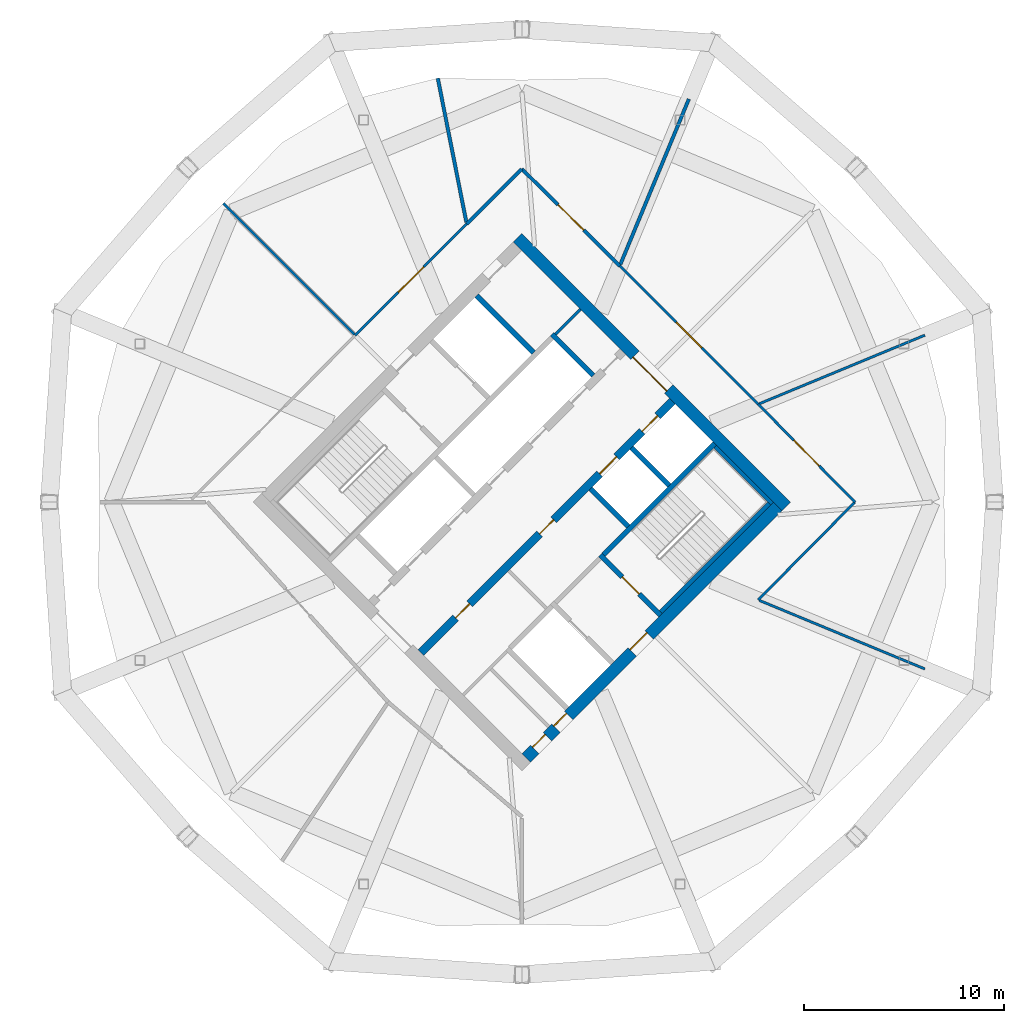
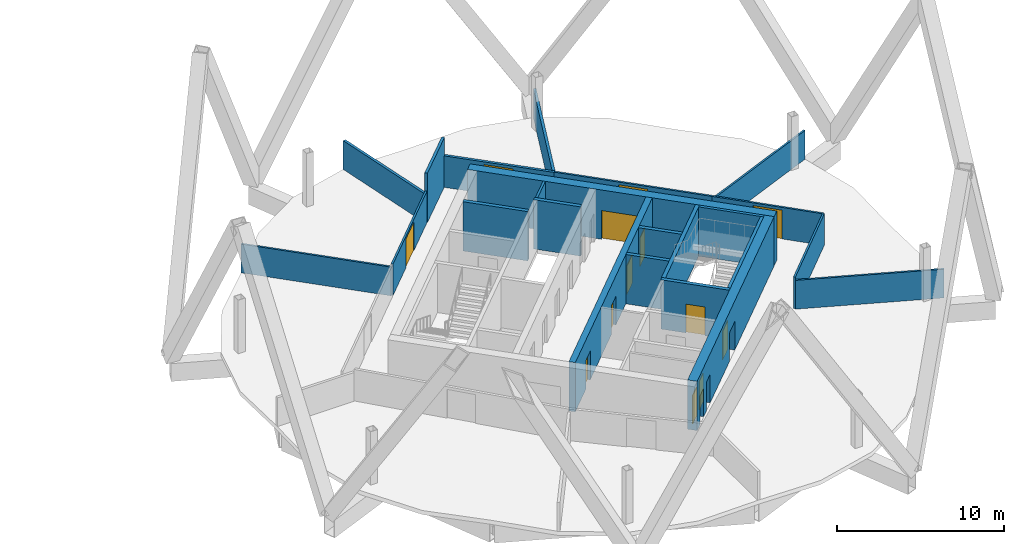
# One storey, part 7 of 9: 23 walls, 13 doors, 13 openings.
"""IFC4 building model written with IfcOpenShell, lengths in metres."""

from ifc_helpers import new_model, si_unit, direction, frame, frame_2d, origin, place, context, subcontext, project, spatial, rectangle, extrude, material, layer, layer_set, type_object, element, fill, save


model = new_model("IFC4")

# Units and contexts
model_context = context("Model", 3, precision=1e-05, world=origin(), true_north=direction((0.0, 1.0)))
body_context = subcontext(model_context, "Body", "Model", "MODEL_VIEW")
ifc_project = project(units=[si_unit("LENGTHUNIT", "METRE"), si_unit("AREAUNIT", "SQUARE_METRE"), si_unit("VOLUMEUNIT", "CUBIC_METRE"), si_unit("PLANEANGLEUNIT", "RADIAN"), si_unit("MASSUNIT", "GRAM", prefix="KILO")], contexts=[model_context])

# Site, building, storey
site_placement = place(None, origin())
site = spatial("IfcSite", under=ifc_project, at=site_placement, CompositionType="ELEMENT")
building_placement = place(site_placement, origin())
building = spatial("IfcBuilding", under=site, at=building_placement, Name="Ogive Gate Towers", CompositionType="ELEMENT")
storey_placement = place(building_placement, frame((0.0, 0.0, 200.699951171875)))
storey = spatial("IfcBuildingStorey", under=building, at=storey_placement, Name="L48", CompositionType="ELEMENT", Elevation=200.699951171875)

# Walls
ifc_material_1 = material(Name="Gypsum board acoustic partition")
ifc_layer_1 = layer(ifc_material_1, 0.175048828125)
ifc_layer_set_1 = layer_set([ifc_layer_1], Name="Acoustic partition 175")
wall_type_1 = type_object("IfcWallType", Name="Acoustic partition 175", PredefinedType="PARTITIONING", material=ifc_layer_set_1)
wall_1_placement = place(storey_placement, frame((44.35009765625, 20.1591796875, 0.0), z_axis=(0.0, 0.0, 1.0), x_axis=(-0.382666085815, -0.923886717497, 0.0)))
element("IfcWall", 1, at=wall_1_placement, inside=storey, type_object=wall_type_1, Name="Partition T2-L48-002", PredefinedType="PARTITIONING", context=body_context, shape_type="SweptSolid", body=[
    extrude(rectangle(XDim=8.941650390625, YDim=0.175048828125, at=frame_2d((4.470703125, 0.0))), origin(), (0.0, 0.0, 1.0), 2.10009765625),
])
wall_2_placement = place(storey_placement, frame((31.790283203125, 21.205810546875, 0.0), z_axis=(0.0, 0.0, 1.0), x_axis=(0.194734626215, -0.980855965651, 0.0)))
element("IfcWall", 2, at=wall_2_placement, inside=storey, type_object=wall_type_1, Name="Partition T2-L48-003", PredefinedType="PARTITIONING", context=body_context, shape_type="SweptSolid", body=[
    extrude(rectangle(XDim=7.341796875, YDim=0.175048828125, at=frame_2d((3.6708984375, 0.0))), origin(), (0.0, 0.0, 1.0), 2.10009765625),
])

# Wall, opening, door
wall_3_placement = place(storey_placement, frame((40.89501953125, 11.8173828125, 0.0), z_axis=(0.0, 0.0, 1.0), x_axis=(-0.7109435657, 0.703249064265, 0.0)))
wall_3 = element("IfcWall", 3, at=wall_3_placement, inside=storey, type_object=wall_type_1, Name="Partition T2-L48-013", PredefinedType="PARTITIONING", context=body_context, shape_type="SweptSolid", body=[
    extrude(rectangle(XDim=6.88525390625, YDim=0.175048828125, at=frame_2d((3.442626953125, 0.0))), origin(), (0.0, 0.0, 1.0), 2.300048828125),
])
opening_1_placement = place(wall_3_placement, frame((2.54296875, 0.0, 0.0)))
opening_1 = element("IfcOpeningElement", 4, at=opening_1_placement, cuts=wall_3, Name="Opening T2-L48-D04", PredefinedType="OPENING", context=body_context, shape_type="SweptSolid", body=[
    extrude(rectangle(XDim=1.800048828125, YDim=2.10009765625, at=frame_2d((0.89990234375, 1.050048828125))), frame((0.0, 0.09765625, 0.0), z_axis=(0.0, -1.0, 0.0), x_axis=(1.0, 0.0, 0.0)), (0.0, 0.0, 1.0), 0.195068359375),
])
ifc_material_2 = material(Name="Timber door", Category="wood")
door_type_1 = type_object("IfcDoorType", Name="Door pair 1800", OperationType="NOTDEFINED", PredefinedType="DOOR", material=ifc_material_2)
door_1_placement = place(opening_1_placement, origin())
door_1 = element("IfcDoor", 5, at=door_1_placement, inside=storey, type_object=door_type_1, Name="Door T2-L48-D04", OperationType="DOUBLE_DOOR_DOUBLE_SWING", OverallHeight=2.10009765625, OverallWidth=1.800048828125, PredefinedType="DOOR", context=body_context, shape_type="SweptSolid", body=[
    extrude(rectangle(XDim=1.800048828125, YDim=2.10009765625, at=frame_2d((0.89990234375, 1.050048828125))), frame((0.0, 0.02490234375, 0.0), z_axis=(0.0, -1.0, 0.0), x_axis=(1.0, 0.0, 0.0)), (0.0, 0.0, 1.0), 0.050048828125),
])
fill(opening_1, door_1)

# Wall
wall_4_placement = place(storey_placement, frame((36.0, 16.659423828125, 0.0), z_axis=(0.0, 0.0, 1.0), x_axis=(-0.710017872261, -0.704183655781, 0.0)))
element("IfcWall", 6, at=wall_4_placement, inside=storey, type_object=wall_type_1, Name="Partition T2-L48-014", PredefinedType="PARTITIONING", context=body_context, shape_type="SweptSolid", body=[
    extrude(rectangle(XDim=3.8916015625, YDim=0.175048828125, at=frame_2d((1.94580078125, 0.0))), origin(), (0.0, 0.0, 1.0), 3.60009765625),
])

# Wall, openings, doors
ifc_material_3 = material(Name="Concrete C60/75", Category="concrete")
ifc_layer_2 = layer(ifc_material_3, 0.60009765625)
ifc_layer_set_2 = layer_set([ifc_layer_2], Name="Core wall 600 mm")
wall_type_2 = type_object("IfcWallType", Name="Core wall 600 mm", PredefinedType="SHEAR", material=ifc_layer_set_2)
wall_5_placement = place(storey_placement, frame((36.212158203125, -12.798583984375, 0.0), z_axis=(0.0, 0.0, 1.0), x_axis=(0.707106781187, 0.707106781187, 0.0)))
wall_5 = element("IfcWall", 7, at=wall_5_placement, inside=storey, type_object=wall_type_2, Name="T2 L48 Core wall 600 mm", PredefinedType="SHEAR", context=body_context, shape_type="SweptSolid", body=[
    extrude(rectangle(XDim=17.7998046875, YDim=0.60009765625, at=frame_2d((8.89990234375, 0.0))), origin(), (0.0, 0.0, 1.0), 3.60009765625),
])
opening_2_placement = place(wall_5_placement, frame((7.5, 0.0, 0.0)))
opening_2 = element("IfcOpeningElement", 8, at=opening_2_placement, cuts=wall_5, Name="Opening KD-T2-L48-19", PredefinedType="OPENING", context=body_context, shape_type="SweptSolid", body=[
    extrude(rectangle(XDim=1.199951171875, YDim=2.10009765625, at=frame_2d((0.60009765625, 1.050048828125))), frame((0.0, 0.31005859375, 0.0), z_axis=(0.0, -1.0, 0.0), x_axis=(1.0, 0.0, 0.0)), (0.0, 0.0, 1.0), 0.6201171875),
])
opening_3_placement = place(wall_5_placement, frame((0.60009765625, 0.0, 0.0)))
opening_3 = element("IfcOpeningElement", 9, at=opening_3_placement, cuts=wall_5, Name="Opening KD-T2-L48-21", PredefinedType="OPENING", context=body_context, shape_type="SweptSolid", body=[
    extrude(rectangle(XDim=0.89990234375, YDim=2.10009765625, at=frame_2d((0.449951171875, 1.050048828125))), frame((0.0, 0.31005859375, 0.0), z_axis=(0.0, -1.0, 0.0), x_axis=(1.0, 0.0, 0.0)), (0.0, 0.0, 1.0), 0.6201171875),
])
opening_4_placement = place(wall_5_placement, frame((2.10009765625, 0.0, 0.0)))
opening_4 = element("IfcOpeningElement", 10, at=opening_4_placement, cuts=wall_5, Name="Opening KD-T2-L48-22", PredefinedType="OPENING", context=body_context, shape_type="SweptSolid", body=[
    extrude(rectangle(XDim=0.89990234375, YDim=2.10009765625, at=frame_2d((0.449951171875, 1.050048828125))), frame((0.0, 0.31005859375, 0.0), z_axis=(0.0, -1.0, 0.0), x_axis=(1.0, 0.0, 0.0)), (0.0, 0.0, 1.0), 0.6201171875),
])
door_type_2 = type_object("IfcDoorType", Name="Core WC door 900 x 2100", OperationType="NOTDEFINED", PredefinedType="DOOR", material=ifc_material_2)
door_2_placement = place(opening_3_placement, origin())
door_2 = element("IfcDoor", 11, at=door_2_placement, inside=storey, type_object=door_type_2, Name="T2 L48 Core door", OperationType="SINGLE_SWING_RIGHT", OverallHeight=2.10009765625, OverallWidth=0.89990234375, PredefinedType="DOOR", context=body_context, shape_type="SweptSolid", body=[
    extrude(rectangle(XDim=0.89990234375, YDim=2.10009765625, at=frame_2d((0.449951171875, 1.050048828125))), frame((0.0, 0.1748046875, 0.0), z_axis=(0.0, -1.0, 0.0), x_axis=(1.0, 0.0, 0.0)), (0.0, 0.0, 1.0), 0.050048828125),
])
fill(opening_3, door_2)
door_3_placement = place(opening_4_placement, origin())
door_3 = element("IfcDoor", 12, at=door_3_placement, inside=storey, type_object=door_type_2, Name="T2 L48 Core door", OperationType="SINGLE_SWING_LEFT", OverallHeight=2.10009765625, OverallWidth=0.89990234375, PredefinedType="DOOR", context=body_context, shape_type="SweptSolid", body=[
    extrude(rectangle(XDim=0.89990234375, YDim=2.10009765625, at=frame_2d((0.449951171875, 1.050048828125))), frame((0.0, 0.1748046875, 0.0), z_axis=(0.0, -1.0, 0.0), x_axis=(1.0, 0.0, 0.0)), (0.0, 0.0, 1.0), 0.050048828125),
])
fill(opening_4, door_3)
ifc_material_4 = material(Name="Steel fire door", Category="steel")
door_type_3 = type_object("IfcDoorType", Name="Core door FD60S 1200 x 2100", OperationType="NOTDEFINED", PredefinedType="DOOR", material=ifc_material_4)
door_4_placement = place(opening_2_placement, origin())
door_4 = element("IfcDoor", 13, at=door_4_placement, inside=storey, type_object=door_type_3, Name="T2 L48 Fire-fighting lobby door", OperationType="SINGLE_SWING_RIGHT", OverallHeight=2.10009765625, OverallWidth=1.199951171875, PredefinedType="DOOR", context=body_context, shape_type="SweptSolid", body=[
    extrude(rectangle(XDim=1.199951171875, YDim=2.10009765625, at=frame_2d((0.60009765625, 1.050048828125))), frame((0.0, 0.1748046875, 0.0), z_axis=(0.0, -1.0, 0.0), x_axis=(1.0, 0.0, 0.0)), (0.0, 0.0, 1.0), 0.050048828125),
])
fill(opening_2, door_4)

# Wall, opening, door
wall_6_placement = place(storey_placement, frame((49.222900390625, -0.212158203125, 0.0), z_axis=(0.0, 0.0, 1.0), x_axis=(-0.707106781187, 0.707106781187, 0.0)))
wall_6 = element("IfcWall", 14, at=wall_6_placement, inside=storey, type_object=wall_type_2, Name="T2 L48 Core wall 600 mm", PredefinedType="SHEAR", context=body_context, shape_type="SweptSolid", body=[
    extrude(rectangle(XDim=19.0, YDim=0.60009765625, at=frame_2d((9.5, 0.0))), origin(), (0.0, 0.0, 1.0), 3.60009765625),
])
opening_5_placement = place(wall_6_placement, frame((8.300048828125, 0.0, 0.0)))
opening_5 = element("IfcOpeningElement", 15, at=opening_5_placement, cuts=wall_6, Name="Opening KD-T2-L48-02", PredefinedType="OPENING", context=body_context, shape_type="SweptSolid", body=[
    extrude(rectangle(XDim=2.39990234375, YDim=2.10009765625, at=frame_2d((1.199951171875, 1.050048828125))), frame((0.0, 0.31005859375, 0.0), z_axis=(0.0, -1.0, 0.0), x_axis=(1.0, 0.0, 0.0)), (0.0, 0.0, 1.0), 0.6201171875),
])
door_type_4 = type_object("IfcDoorType", Name="Core double door FD60S 2400 x 2100", OperationType="DOUBLE_DOOR_SINGLE_SWING", PredefinedType="DOOR", material=ifc_material_4)
door_5_placement = place(opening_5_placement, origin())
door_5 = element("IfcDoor", 16, at=door_5_placement, inside=storey, type_object=door_type_4, Name="T2 L48 Core door double", OperationType="DOUBLE_DOOR_SINGLE_SWING", OverallHeight=2.10009765625, OverallWidth=2.39990234375, PredefinedType="DOOR", context=body_context, shape_type="SweptSolid", body=[
    extrude(rectangle(XDim=2.39990234375, YDim=2.10009765625, at=frame_2d((1.199951171875, 1.050048828125))), frame((0.0, 0.1748046875, 0.0), z_axis=(0.0, -1.0, 0.0), x_axis=(1.0, 0.0, 0.0)), (0.0, 0.0, 1.0), 0.050048828125),
])
fill(opening_5, door_5)

# Walls
ifc_material_5 = material(Name="Gypsum board partition")
ifc_layer_3 = layer(ifc_material_5, 0.125)
ifc_layer_set_3 = layer_set([ifc_layer_3], Name="Partition 125")
wall_type_3 = type_object("IfcWallType", Name="Partition 125", PredefinedType="PARTITIONING", material=ifc_layer_set_3)
wall_7_placement = place(storey_placement, frame((56.1591796875, 8.35009765625, 0.0), z_axis=(0.0, 0.0, 1.0), x_axis=(-0.923880443146, -0.382681233892, 0.0)))
element("IfcWall", 17, at=wall_7_placement, inside=storey, type_object=wall_type_3, Name="Partition T2-L48-001", PredefinedType="PARTITIONING", context=body_context, shape_type="SweptSolid", body=[
    extrude(rectangle(XDim=8.966796875, YDim=0.125, at=frame_2d((4.4833984375, 0.0))), origin(), (0.0, 0.0, 1.0), 2.10009765625),
])
wall_8_placement = place(storey_placement, frame((21.066650390625, 14.933349609375, 0.0), z_axis=(0.0, 0.0, 1.0), x_axis=(0.707106781187, -0.707106781187, 0.0)))
element("IfcWall", 18, at=wall_8_placement, inside=storey, type_object=wall_type_3, Name="Partition T2-L48-004", PredefinedType="PARTITIONING", context=body_context, shape_type="SweptSolid", body=[
    extrude(rectangle(XDim=9.266357421875, YDim=0.125, at=frame_2d((4.63330078125, 0.0))), origin(), (0.0, 0.0, 1.0), 2.10009765625),
])
wall_9_placement = place(storey_placement, frame((56.1591796875, -8.35009765625, 0.0), z_axis=(0.0, 0.0, 1.0), x_axis=(-0.923880443146, 0.382681233892, 0.0)))
element("IfcWall", 19, at=wall_9_placement, inside=storey, type_object=wall_type_3, Name="Partition T2-L48-008", PredefinedType="PARTITIONING", context=body_context, shape_type="SweptSolid", body=[
    extrude(rectangle(XDim=8.966796875, YDim=0.125, at=frame_2d((4.4833984375, 0.0))), origin(), (0.0, 0.0, 1.0), 2.10009765625),
])

# Wall, opening, door
wall_10_placement = place(storey_placement, frame((52.659423828125, 0.0, 0.0), z_axis=(0.0, 0.0, 1.0), x_axis=(-0.703249064265, 0.7109435657, 0.0)))
wall_10 = element("IfcWall", 20, at=wall_10_placement, inside=storey, type_object=wall_type_3, Name="Partition T2-L48-010", PredefinedType="PARTITIONING", context=body_context, shape_type="SweptSolid", body=[
    extrude(rectangle(XDim=6.88525390625, YDim=0.125, at=frame_2d((3.442626953125, 0.0))), origin(), (0.0, 0.0, 1.0), 2.300048828125),
])
opening_6_placement = place(wall_10_placement, frame((2.54296875, 0.0, 0.0)))
opening_6 = element("IfcOpeningElement", 21, at=opening_6_placement, cuts=wall_10, Name="Opening T2-L48-D02", PredefinedType="OPENING", context=body_context, shape_type="SweptSolid", body=[
    extrude(rectangle(XDim=1.800048828125, YDim=2.10009765625, at=frame_2d((0.89990234375, 1.050048828125))), frame((0.0, 0.072509765625, 0.0), z_axis=(0.0, -1.0, 0.0), x_axis=(1.0, 0.0, 0.0)), (0.0, 0.0, 1.0), 0.14501953125),
])
door_6_placement = place(opening_6_placement, origin())
door_6 = element("IfcDoor", 22, at=door_6_placement, inside=storey, type_object=door_type_1, Name="Door T2-L48-D02", OperationType="DOUBLE_DOOR_DOUBLE_SWING", OverallHeight=2.10009765625, OverallWidth=1.800048828125, PredefinedType="DOOR", context=body_context, shape_type="SweptSolid", body=[
    extrude(rectangle(XDim=1.800048828125, YDim=2.10009765625, at=frame_2d((0.89990234375, 1.050048828125))), frame((0.0, 0.02490234375, 0.0), z_axis=(0.0, -1.0, 0.0), x_axis=(1.0, 0.0, 0.0)), (0.0, 0.0, 1.0), 0.050048828125),
])
fill(opening_6, door_6)

# Wall
wall_11_placement = place(storey_placement, frame((47.8173828125, -4.89501953125, 0.0), z_axis=(0.0, 0.0, 1.0), x_axis=(0.703249064265, 0.7109435657, 0.0)))
element("IfcWall", 23, at=wall_11_placement, inside=storey, type_object=wall_type_3, Name="Partition T2-L48-011", PredefinedType="PARTITIONING", context=body_context, shape_type="SweptSolid", body=[
    extrude(rectangle(XDim=6.88525390625, YDim=0.125, at=frame_2d((3.442626953125, 0.0))), origin(), (0.0, 0.0, 1.0), 2.300048828125),
])

# Wall, opening, door
wall_12_placement = place(storey_placement, frame((47.8173828125, 4.89501953125, 0.0), z_axis=(0.0, 0.0, 1.0), x_axis=(-0.707106781187, 0.707106781187, 0.0)))
wall_12 = element("IfcWall", 24, at=wall_12_placement, inside=storey, type_object=wall_type_3, Name="Partition T2-L48-012", PredefinedType="PARTITIONING", context=body_context, shape_type="SweptSolid", body=[
    extrude(rectangle(XDim=9.789794921875, YDim=0.125, at=frame_2d((4.89501953125, 0.0))), origin(), (0.0, 0.0, 1.0), 2.300048828125),
])
opening_7_placement = place(wall_12_placement, frame((3.9951171875, 0.0, 0.0)))
opening_7 = element("IfcOpeningElement", 25, at=opening_7_placement, cuts=wall_12, Name="Opening T2-L48-D03", PredefinedType="OPENING", context=body_context, shape_type="SweptSolid", body=[
    extrude(rectangle(XDim=1.800048828125, YDim=2.10009765625, at=frame_2d((0.89990234375, 1.050048828125))), frame((0.0, 0.072509765625, 0.0), z_axis=(0.0, -1.0, 0.0), x_axis=(1.0, 0.0, 0.0)), (0.0, 0.0, 1.0), 0.14501953125),
])
door_7_placement = place(opening_7_placement, origin())
door_7 = element("IfcDoor", 26, at=door_7_placement, inside=storey, type_object=door_type_1, Name="Door T2-L48-D03", OperationType="DOUBLE_DOOR_DOUBLE_SWING", OverallHeight=2.10009765625, OverallWidth=1.800048828125, PredefinedType="DOOR", context=body_context, shape_type="SweptSolid", body=[
    extrude(rectangle(XDim=1.800048828125, YDim=2.10009765625, at=frame_2d((0.89990234375, 1.050048828125))), frame((0.0, 0.02490234375, 0.0), z_axis=(0.0, -1.0, 0.0), x_axis=(1.0, 0.0, 0.0)), (0.0, 0.0, 1.0), 0.050048828125),
])
fill(opening_7, door_7)

wall_13_placement = place(storey_placement, frame((33.23681640625, 13.9189453125, 0.0), z_axis=(0.0, 0.0, 1.0), x_axis=(-0.706580441441, -0.707632729439, 0.0)))
wall_13 = element("IfcWall", 27, at=wall_13_placement, inside=storey, type_object=wall_type_3, Name="Partition T2-L48-015", PredefinedType="PARTITIONING", context=body_context, shape_type="SweptSolid", body=[
    extrude(rectangle(XDim=7.888427734375, YDim=0.125, at=frame_2d((3.9443359375, 0.0))), origin(), (0.0, 0.0, 1.0), 2.300048828125),
])
opening_8_placement = place(wall_13_placement, frame((3.0439453125, 0.0, 0.0)))
opening_8 = element("IfcOpeningElement", 28, at=opening_8_placement, cuts=wall_13, Name="Opening T2-L48-D05", PredefinedType="OPENING", context=body_context, shape_type="SweptSolid", body=[
    extrude(rectangle(XDim=1.800048828125, YDim=2.10009765625, at=frame_2d((0.89990234375, 1.050048828125))), frame((0.0, 0.072509765625, 0.0), z_axis=(0.0, -1.0, 0.0), x_axis=(1.0, 0.0, 0.0)), (0.0, 0.0, 1.0), 0.14501953125),
])
door_8_placement = place(opening_8_placement, origin())
door_8 = element("IfcDoor", 29, at=door_8_placement, inside=storey, type_object=door_type_1, Name="Door T2-L48-D05", OperationType="DOUBLE_DOOR_DOUBLE_SWING", OverallHeight=2.10009765625, OverallWidth=1.800048828125, PredefinedType="DOOR", context=body_context, shape_type="SweptSolid", body=[
    extrude(rectangle(XDim=1.800048828125, YDim=2.10009765625, at=frame_2d((0.89990234375, 1.050048828125))), frame((0.0, 0.02490234375, 0.0), z_axis=(0.0, -1.0, 0.0), x_axis=(1.0, 0.0, 0.0)), (0.0, 0.0, 1.0), 0.050048828125),
])
fill(opening_8, door_8)

# Walls
ifc_layer_4 = layer(ifc_material_5, 0.14990234375)
ifc_layer_set_4 = layer_set([ifc_layer_4], Name="Room partition 150 mm")
wall_type_4 = type_object("IfcWallType", Name="Room partition 150 mm", PredefinedType="PARTITIONING", material=ifc_layer_set_4)
wall_14_placement = place(storey_placement, frame((37.679443359375, 8.39697265625, 0.0), z_axis=(0.0, 0.0, 1.0), x_axis=(0.707106781187, 0.707106781187, 0.0)))
element("IfcWall", 30, at=wall_14_placement, inside=storey, type_object=wall_type_4, Name="T2 L48 Room partition 150 mm", PredefinedType="PARTITIONING", context=body_context, shape_type="SweptSolid", body=[
    extrude(rectangle(XDim=1.77490234375, YDim=0.14990234375, at=frame_2d((0.887451171875, 0.0))), origin(), (0.0, 0.0, 1.0), 3.60009765625),
])
ifc_layer_5 = layer(ifc_material_3, 0.25)
ifc_layer_set_5 = layer_set([ifc_layer_5], Name="Shaft wall 250 mm")
wall_type_5 = type_object("IfcWallType", Name="Shaft wall 250 mm", PredefinedType="SHEAR", material=ifc_layer_set_5)
wall_15_placement = place(storey_placement, frame((40.08349609375, -2.634033203125, 0.0), z_axis=(0.0, 0.0, 1.0), x_axis=(0.707106781187, 0.707106781187, 0.0)))
element("IfcWall", 31, at=wall_15_placement, inside=storey, type_object=wall_type_5, Name="T2 L48 Shaft wall 250 mm", PredefinedType="SHEAR", context=body_context, shape_type="SweptSolid", body=[
    extrude(rectangle(XDim=7.875244140625, YDim=0.25, at=frame_2d((3.9375, 0.0))), origin(), (0.0, 0.0, 1.0), 3.60009765625),
])

# Wall, opening, door
wall_16_placement = place(storey_placement, frame((42.9296875, -5.656982421875, 0.0), z_axis=(0.0, 0.0, 1.0), x_axis=(-0.707106781187, 0.707106781187, 0.0)))
wall_16 = element("IfcWall", 32, at=wall_16_placement, inside=storey, type_object=wall_type_5, Name="T2 L48 Shaft wall 250 mm", PredefinedType="SHEAR", context=body_context, shape_type="SweptSolid", body=[
    extrude(rectangle(XDim=4.250244140625, YDim=0.25, at=frame_2d((2.125, 0.0))), origin(), (0.0, 0.0, 1.0), 3.60009765625),
])
opening_9_placement = place(wall_16_placement, frame((1.5, 0.0, 0.0)))
opening_9 = element("IfcOpeningElement", 33, at=opening_9_placement, cuts=wall_16, Name="Opening KD-T2-L48-17", PredefinedType="OPENING", context=body_context, shape_type="SweptSolid", body=[
    extrude(rectangle(XDim=1.199951171875, YDim=2.10009765625, at=frame_2d((0.60009765625, 1.050048828125))), frame((0.0, 0.135009765625, 0.0), z_axis=(0.0, -1.0, 0.0), x_axis=(1.0, 0.0, 0.0)), (0.0, 0.0, 1.0), 0.27001953125),
])
door_9_placement = place(opening_9_placement, origin())
door_9 = element("IfcDoor", 34, at=door_9_placement, inside=storey, type_object=door_type_3, Name="T2 L48 Stair door", OperationType="SINGLE_SWING_RIGHT", OverallHeight=2.10009765625, OverallWidth=1.199951171875, PredefinedType="DOOR", context=body_context, shape_type="SweptSolid", body=[
    extrude(rectangle(XDim=1.199951171875, YDim=2.10009765625, at=frame_2d((0.60009765625, 1.050048828125))), frame((0.0, 0.02490234375, 0.0), z_axis=(0.0, -1.0, 0.0), x_axis=(1.0, 0.0, 0.0)), (0.0, 0.0, 1.0), 0.050048828125),
])
fill(opening_9, door_9)

# Walls
wall_17_placement = place(storey_placement, frame((41.321044921875, -1.2197265625, 0.0), z_axis=(0.0, 0.0, 1.0), x_axis=(-0.707106781187, 0.707106781187, 0.0)))
element("IfcWall", 35, at=wall_17_placement, inside=storey, type_object=wall_type_5, Name="T2 L48 Shaft wall 250 mm", PredefinedType="SHEAR", context=body_context, shape_type="SweptSolid", body=[
    extrude(rectangle(XDim=2.675048828125, YDim=0.25, at=frame_2d((1.33740234375, 0.0))), origin(), (0.0, 0.0, 1.0), 3.60009765625),
])
wall_18_placement = place(storey_placement, frame((36.58349609375, 7.477783203125, 0.0), z_axis=(0.0, 0.0, 1.0), x_axis=(-0.707137108942, 0.70707645213, 0.0)))
element("IfcWall", 36, at=wall_18_placement, inside=storey, type_object=wall_type_5, Name="T2 L48 Shaft wall 250 mm", PredefinedType="SHEAR", context=body_context, shape_type="SweptSolid", body=[
    extrude(rectangle(XDim=4.02490234375, YDim=0.25, at=frame_2d((2.012451171875, 0.0))), origin(), (0.0, 0.0, 1.0), 3.60009765625),
])
wall_19_placement = place(storey_placement, frame((43.37158203125, 0.830810546875, 0.0), z_axis=(0.0, 0.0, 1.0), x_axis=(-0.707106781187, 0.707106781187, 0.0)))
element("IfcWall", 37, at=wall_19_placement, inside=storey, type_object=wall_type_5, Name="T2 L48 Shaft wall 250 mm", PredefinedType="SHEAR", context=body_context, shape_type="SweptSolid", body=[
    extrude(rectangle(XDim=2.675048828125, YDim=0.25, at=frame_2d((1.33740234375, 0.0))), origin(), (0.0, 0.0, 1.0), 3.60009765625),
])
wall_20_placement = place(storey_placement, frame((39.57080078125, 6.32861328125, 0.0), z_axis=(0.0, 0.0, 1.0), x_axis=(-0.707065045505, 0.707148514405, 0.0)))
element("IfcWall", 38, at=wall_20_placement, inside=storey, type_object=wall_type_5, Name="T2 L48 Shaft wall 250 mm", PredefinedType="SHEAR", context=body_context, shape_type="SweptSolid", body=[
    extrude(rectangle(XDim=2.925048828125, YDim=0.25, at=frame_2d((1.46240234375, 0.0))), origin(), (0.0, 0.0, 1.0), 3.60009765625),
])

# Wall, openings, doors
ifc_layer_6 = layer(ifc_material_3, 0.39990234375)
ifc_layer_set_6 = layer_set([ifc_layer_6], Name="Spine wall 400 mm")
wall_type_6 = type_object("IfcWallType", Name="Spine wall 400 mm", PredefinedType="SHEAR", material=ifc_layer_set_6)
wall_21_placement = place(storey_placement, frame((30.944091796875, -7.53076171875, 0.0), z_axis=(0.0, 0.0, 1.0), x_axis=(0.707106781187, 0.707106781187, 0.0)))
wall_21 = element("IfcWall", 39, at=wall_21_placement, inside=storey, type_object=wall_type_6, Name="T2 L48 Spine wall 400 mm", PredefinedType="SHEAR", context=body_context, shape_type="SweptSolid", body=[
    extrude(rectangle(XDim=17.80029296875, YDim=0.39990234375, at=frame_2d((8.900146484375, 0.0))), origin(), (0.0, 0.0, 1.0), 3.60009765625),
])
opening_10_placement = place(wall_21_placement, frame((12.64990234375, 0.0, 0.0)))
opening_10 = element("IfcOpeningElement", 40, at=opening_10_placement, cuts=wall_21, Name="Opening LD-T2-L48-10", PredefinedType="OPENING", context=body_context, shape_type="SweptSolid", body=[
    extrude(rectangle(XDim=1.199951171875, YDim=2.10009765625, at=frame_2d((0.60009765625, 1.050048828125))), frame((0.0, 0.2099609375, 0.0), z_axis=(0.0, -1.0, 0.0), x_axis=(1.0, 0.0, 0.0)), (0.0, 0.0, 1.0), 0.419921875),
])
opening_11_placement = place(wall_21_placement, frame((15.64990234375, 0.0, 0.0)))
opening_11 = element("IfcOpeningElement", 41, at=opening_11_placement, cuts=wall_21, Name="Opening LD-T2-L48-11", PredefinedType="OPENING", context=body_context, shape_type="SweptSolid", body=[
    extrude(rectangle(XDim=1.10009765625, YDim=2.10009765625, at=frame_2d((0.550048828125, 1.050048828125))), frame((0.0, 0.2099609375, 0.0), z_axis=(0.0, -1.0, 0.0), x_axis=(1.0, 0.0, 0.0)), (0.0, 0.0, 1.0), 0.419921875),
])
opening_12_placement = place(wall_21_placement, frame((2.449951171875, 0.0, 0.0)))
opening_12 = element("IfcOpeningElement", 42, at=opening_12_placement, cuts=wall_21, Name="Opening KD-T2-L48-14", PredefinedType="OPENING", context=body_context, shape_type="SweptSolid", body=[
    extrude(rectangle(XDim=1.0, YDim=2.10009765625, at=frame_2d((0.5, 1.050048828125))), frame((0.0, 0.2099609375, 0.0), z_axis=(0.0, -1.0, 0.0), x_axis=(1.0, 0.0, 0.0)), (0.0, 0.0, 1.0), 0.419921875),
])
opening_13_placement = place(wall_21_placement, frame((8.39990234375, 0.0, 0.0)))
opening_13 = element("IfcOpeningElement", 43, at=opening_13_placement, cuts=wall_21, Name="Opening KD-T2-L48-15", PredefinedType="OPENING", context=body_context, shape_type="SweptSolid", body=[
    extrude(rectangle(XDim=1.0, YDim=2.10009765625, at=frame_2d((0.5, 1.050048828125))), frame((0.0, 0.2099609375, 0.0), z_axis=(0.0, -1.0, 0.0), x_axis=(1.0, 0.0, 0.0)), (0.0, 0.0, 1.0), 0.419921875),
])
door_type_5 = type_object("IfcDoorType", Name="Core door FD60S 1000 x 2100", OperationType="NOTDEFINED", PredefinedType="DOOR", material=ifc_material_4)
door_10_placement = place(opening_12_placement, origin())
door_10 = element("IfcDoor", 44, at=door_10_placement, inside=storey, type_object=door_type_5, Name="T2 L48 Core door", OperationType="SINGLE_SWING_LEFT", OverallHeight=2.10009765625, OverallWidth=1.0, PredefinedType="DOOR", context=body_context, shape_type="SweptSolid", body=[
    extrude(rectangle(XDim=1.0, YDim=2.10009765625, at=frame_2d((0.5, 1.050048828125))), frame((0.0, 0.02490234375, 0.0), z_axis=(0.0, -1.0, 0.0), x_axis=(1.0, 0.0, 0.0)), (0.0, 0.0, 1.0), 0.050048828125),
])
fill(opening_12, door_10)
door_11_placement = place(opening_13_placement, origin())
door_11 = element("IfcDoor", 45, at=door_11_placement, inside=storey, type_object=door_type_5, Name="T2 L48 Core door", OperationType="SINGLE_SWING_RIGHT", OverallHeight=2.10009765625, OverallWidth=1.0, PredefinedType="DOOR", context=body_context, shape_type="SweptSolid", body=[
    extrude(rectangle(XDim=1.0, YDim=2.10009765625, at=frame_2d((0.5, 1.050048828125))), frame((0.0, 0.02490234375, 0.0), z_axis=(0.0, -1.0, 0.0), x_axis=(1.0, 0.0, 0.0)), (0.0, 0.0, 1.0), 0.050048828125),
])
fill(opening_13, door_11)
ifc_material_6 = material(Name="Stainless steel landing door", Category="steel")
door_type_6 = type_object("IfcDoorType", Name="Landing door 1100 x 2100", OperationType="SLIDING_TO_LEFT", PredefinedType="DOOR", material=ifc_material_6)
door_12_placement = place(opening_11_placement, origin())
door_12 = element("IfcDoor", 46, at=door_12_placement, inside=storey, type_object=door_type_6, Name="T2 L48 Lift landing door B6", OperationType="SLIDING_TO_LEFT", OverallHeight=2.10009765625, OverallWidth=1.10009765625, PredefinedType="DOOR", context=body_context, shape_type="SweptSolid", body=[
    extrude(rectangle(XDim=1.10009765625, YDim=2.10009765625, at=frame_2d((0.550048828125, 1.050048828125))), frame((0.0, 0.02490234375, 0.0), z_axis=(0.0, -1.0, 0.0), x_axis=(1.0, 0.0, 0.0)), (0.0, 0.0, 1.0), 0.050048828125),
])
fill(opening_11, door_12)
door_type_7 = type_object("IfcDoorType", Name="Landing door 1200 x 2100", OperationType="SLIDING_TO_LEFT", PredefinedType="DOOR", material=ifc_material_6)
door_13_placement = place(opening_10_placement, origin())
door_13 = element("IfcDoor", 47, at=door_13_placement, inside=storey, type_object=door_type_7, Name="T2 L48 Lift landing door SVC", OperationType="SLIDING_TO_LEFT", OverallHeight=2.10009765625, OverallWidth=1.199951171875, PredefinedType="DOOR", context=body_context, shape_type="SweptSolid", body=[
    extrude(rectangle(XDim=1.199951171875, YDim=2.10009765625, at=frame_2d((0.60009765625, 1.050048828125))), frame((0.0, 0.02490234375, 0.0), z_axis=(0.0, -1.0, 0.0), x_axis=(1.0, 0.0, 0.0)), (0.0, 0.0, 1.0), 0.050048828125),
])
fill(opening_10, door_13)

# Walls
ifc_layer_7 = layer(ifc_material_3, 0.199951171875)
ifc_layer_set_7 = layer_set([ifc_layer_7], Name="Stair wall 200 mm")
wall_type_7 = type_object("IfcWallType", Name="Stair wall 200 mm", PredefinedType="SHEAR", material=ifc_layer_set_7)
wall_22_placement = place(storey_placement, frame((42.947265625, -5.497802734375, 0.0), z_axis=(0.0, 0.0, 1.0), x_axis=(0.707122685701, 0.707090876314, 0.0)))
element("IfcWall", 48, at=wall_22_placement, inside=storey, type_object=wall_type_7, Name="T2 L48 Stair wall 200 mm", PredefinedType="SHEAR", context=body_context, shape_type="SweptSolid", body=[
    extrude(rectangle(XDim=7.675048828125, YDim=0.199951171875, at=frame_2d((3.83740234375, 0.0))), origin(), (0.0, 0.0, 1.0), 3.60009765625),
])
wall_23_placement = place(storey_placement, frame((48.515869140625, -0.07080078125, 0.0), z_axis=(0.0, 0.0, 1.0), x_axis=(-0.707106781187, 0.707106781187, 0.0)))
element("IfcWall", 49, at=wall_23_placement, inside=storey, type_object=wall_type_7, Name="T2 L48 Stair wall 200 mm", PredefinedType="SHEAR", context=body_context, shape_type="SweptSolid", body=[
    extrude(rectangle(XDim=4.025146484375, YDim=0.199951171875, at=frame_2d((2.0126953125, 0.0))), origin(), (0.0, 0.0, 1.0), 3.60009765625),
])

save(model, "model.ifc")
